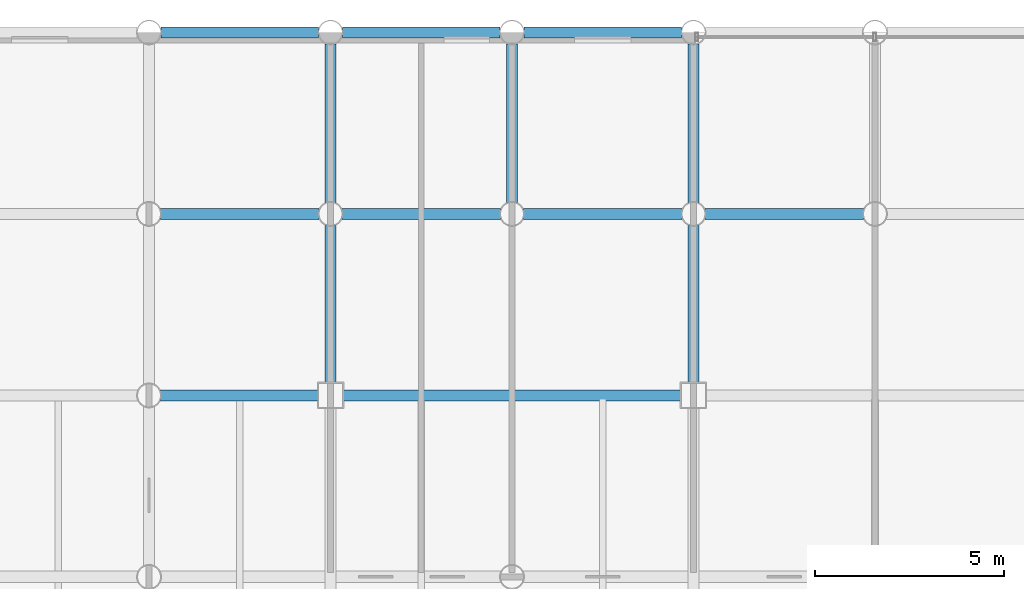
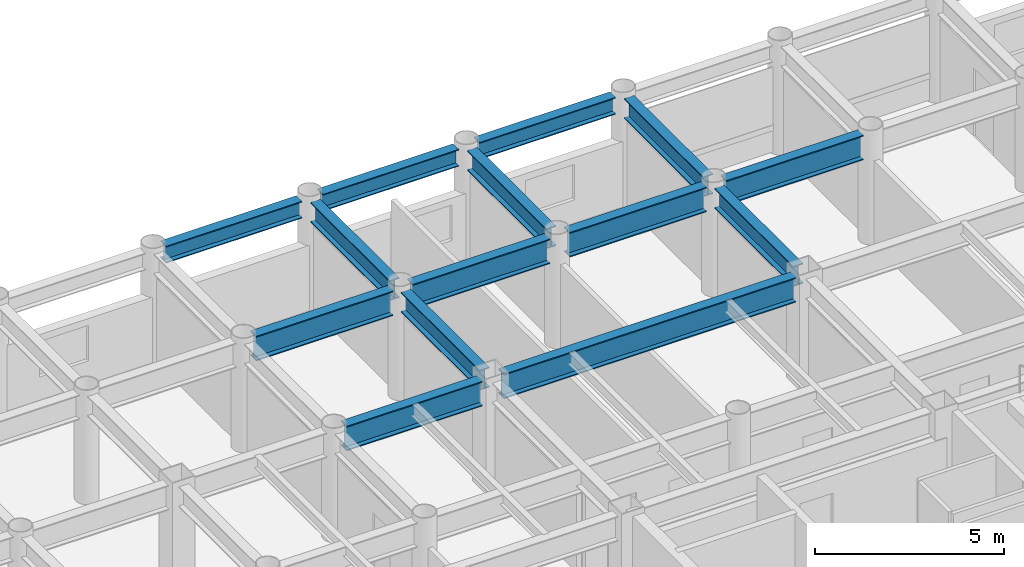
# One storey, part 11 of 20: 14 beams.
"""IFC4 building model written with IfcOpenShell, lengths in metres."""

import ifcopenshell
import ifcopenshell.guid

model = None  # the IFC model being written
_history = None  # IfcOwnerHistory: only IFC2X3 demands one
_inside = {}  # id of a spatial element -> (the spatial element, [elements in it])
_under = {}  # id of a project, library or spatial element -> (it, [spatial elements below it])
_declared = {}  # id of a project -> (the project, [libraries it declares])
_typed = {}  # id of a type object -> (the type object, [elements of that type])
_made_of = {}  # id of a material, layer set ... -> (it, [elements and type objects made of it])


def new_model(schema):
    """Start an empty IFC model of exactly this schema.

    Asked for "IFC4X3", IfcOpenShell would pick the latest addendum, in which some entities
    have other attributes; the version numbers below select the first issue.
    IFC2X3 requires an IfcOwnerHistory on every rooted entity: one is made here for all.
    """
    global model, _history
    if schema == "IFC4X3":
        model = ifcopenshell.file(schema_version=(4, 3, 0, 0))
    else:
        model = ifcopenshell.file(schema=schema)
    _inside.clear()
    _under.clear()
    _declared.clear()
    _typed.clear()
    _made_of.clear()
    _history = None
    if model.schema == "IFC2X3":
        org = make("IfcOrganization", Name="unknown")
        user = make(
            "IfcPersonAndOrganization",
            ThePerson=make("IfcPerson", FamilyName="unknown"),
            TheOrganization=org,
        )
        app = make(
            "IfcApplication",
            ApplicationDeveloper=org,
            Version="unknown",
            ApplicationFullName="unknown",
            ApplicationIdentifier="unknown",
        )
        _history = make(
            "IfcOwnerHistory",
            OwningUser=user,
            OwningApplication=app,
            ChangeAction="ADDED",
            CreationDate=0,
        )
    return model


def make(cls, **values):
    """One entity of the class cls with the attributes given. An attribute that is None is left unset."""
    return model.create_entity(
        cls, **{name: value for name, value in values.items() if value is not None}
    )


def rooted(cls, **values):
    """An entity with a GlobalId (a new one), such as an element, a storey or a relation."""
    return make(cls, GlobalId=ifcopenshell.guid.new(), OwnerHistory=_history, **values)


def si_unit(unit_type, name, prefix=None):
    """IfcSIUnit, for example si_unit("LENGTHUNIT", "METRE", prefix="MILLI")."""
    return make("IfcSIUnit", UnitType=unit_type, Prefix=prefix, Name=name)


def assignment(units):
    """IfcUnitAssignment: the units of a project."""
    return None if units is None else make("IfcUnitAssignment", Units=units)


def point(xyz):
    """IfcCartesianPoint."""
    return None if xyz is None else make("IfcCartesianPoint", Coordinates=xyz)


def direction(xyz):
    """IfcDirection."""
    return None if xyz is None else make("IfcDirection", DirectionRatios=xyz)


def frame(location, z_axis=None, x_axis=None):
    """IfcAxis2Placement3D, a coordinate frame: its origin and axes. An axis left out is left unset."""
    return make(
        "IfcAxis2Placement3D",
        Location=point(location),
        Axis=direction(z_axis),
        RefDirection=direction(x_axis),
    )


def frame_2d(location, x_axis=None):
    """IfcAxis2Placement2D, a coordinate frame in the plane: its origin and x axis."""
    return make(
        "IfcAxis2Placement2D", Location=point(location), RefDirection=direction(x_axis)
    )


def origin():
    """The frame at (0, 0, 0) with its axes left unset."""
    return frame((0.0, 0.0, 0.0))


def origin_2d():
    """The frame at (0, 0) in the plane with its x axis left unset."""
    return frame_2d((0.0, 0.0))


def place(relative_to, where):
    """IfcLocalPlacement: puts the frame where relative to a parent placement (None: the world)."""
    return make(
        "IfcLocalPlacement", PlacementRelTo=relative_to, RelativePlacement=where
    )


def context(
    kind, dimensions, precision=None, world=None, true_north=None, identifier=None
):
    """IfcGeometricRepresentationContext, for example the 3D "Model" context."""
    return make(
        "IfcGeometricRepresentationContext",
        ContextIdentifier=identifier,
        ContextType=kind,
        CoordinateSpaceDimension=dimensions,
        Precision=precision,
        WorldCoordinateSystem=world,
        TrueNorth=true_north,
    )


def subcontext(parent, identifier, kind, view, scale=None):
    """IfcGeometricRepresentationSubContext, for example "Body" below "Model"."""
    return make(
        "IfcGeometricRepresentationSubContext",
        ContextIdentifier=identifier,
        ContextType=kind,
        ParentContext=parent,
        TargetScale=scale,
        TargetView=view,
    )


def project(units=None, contexts=None):
    """IfcProject with its units and contexts."""
    return rooted(
        "IfcProject",
        Name="project",
        RepresentationContexts=contexts,
        UnitsInContext=assignment(units),
    )


def spatial(cls, under=None, at=None, **own):
    """A site, building, storey or space (cls), placed at a placement, below another one or the project."""
    s = rooted(cls, ObjectPlacement=at, **own)
    if under is not None:
        _under.setdefault(under.id(), (under, []))[1].append(s)
    return s


def profile(cls, at=None, kind="AREA", **sizes):
    """A parametric profile (cls). Its sizes go by their IFC names, for example OverallWidth=200.0."""
    return make(cls, ProfileType=kind, Position=at, **sizes)


def i_section(**sizes):
    """IfcIShapeProfileDef."""
    return profile("IfcIShapeProfileDef", **sizes)


def extrude(swept, where, along, depth):
    """IfcExtrudedAreaSolid: the profile swept, set in the frame where, extruded along a direction by depth."""
    return make(
        "IfcExtrudedAreaSolid",
        SweptArea=swept,
        Position=where,
        ExtrudedDirection=direction(along),
        Depth=depth,
    )


def shape(context_of_items, identifier, shape_type, items):
    """IfcShapeRepresentation: the items that make up one representation, for example the "Body"."""
    return make(
        "IfcShapeRepresentation",
        ContextOfItems=context_of_items,
        RepresentationIdentifier=identifier,
        RepresentationType=shape_type,
        Items=items,
    )


def material(Name=None, Category=None):
    """IfcMaterial."""
    return make("IfcMaterial", Name=Name, Category=Category)


def material_profile(
    of_material, cross_section, Name=None, Category=None, Priority=None
):
    """IfcMaterialProfile: a cross section and its material."""
    return make(
        "IfcMaterialProfile",
        Name=Name,
        Material=of_material,
        Profile=cross_section,
        Priority=Priority,
        Category=Category,
    )


def profile_set(profiles, Name=None, composite=None):
    """IfcMaterialProfileSet."""
    return make(
        "IfcMaterialProfileSet",
        Name=Name,
        MaterialProfiles=profiles,
        CompositeProfile=composite,
    )


def made_of(thing, what):
    """Note that an element or type object is made of a material, layer set ...; save() writes the relation."""
    if what is not None:
        _made_of.setdefault(what.id(), (what, []))[1].append(thing)
    return thing


def type_object(cls, material=None, **own):
    """A type object (cls), such as IfcWallType, which elements share."""
    return made_of(rooted(cls, **own), material)


def element(
    cls,
    number,
    at=None,
    inside=None,
    cuts=None,
    type_object=None,
    material=None,
    context=None,
    identifier="Body",
    shape_type=None,
    held_by="IfcProductDefinitionShape",
    body=None,
    shapes=None,
    **own,
):
    """One element of the class cls, such as IfcWall. Its Tag is "e" and its number.

    at: its placement. inside: the storey or other place that contains it. cuts: it is an
    opening in that element (IfcRelVoidsElement). A single representation is given by context,
    identifier, shape_type and body (its items); several are given by shapes. held_by: the class
    of the entity that holds the representations. save() writes the other relations.
    """
    e = rooted(cls, Tag="e%d" % number, ObjectPlacement=at, **own)
    if body is not None:
        shapes = [shape(context, identifier, shape_type, body)]
    if shapes is not None:
        e.Representation = make(held_by, Representations=shapes)
    if inside is not None:
        _inside.setdefault(inside.id(), (inside, []))[1].append(e)
    if cuts is not None:
        rooted(
            "IfcRelVoidsElement", RelatingBuildingElement=cuts, RelatedOpeningElement=e
        )
    if type_object is not None:
        _typed.setdefault(type_object.id(), (type_object, []))[1].append(e)
    return made_of(e, material)


def aggregate(whole, parts):
    """IfcRelAggregates: a whole, such as a stair, and the parts it consists of."""
    return rooted("IfcRelAggregates", RelatingObject=whole, RelatedObjects=parts)


def save(model, path):
    """Write the relations noted so far, then the file.

    IfcRelAggregates (storeys below a building ...), IfcRelContainedInSpatialStructure (elements
    in a storey), IfcRelDefinesByType, IfcRelAssociatesMaterial and IfcRelDeclares: one each for
    every whole, place, type object, material and project.
    """
    for whole, parts in _under.values():
        aggregate(whole, parts)
    for where, things in _inside.values():
        rooted(
            "IfcRelContainedInSpatialStructure",
            RelatedElements=things,
            RelatingStructure=where,
        )
    for kind, things in _typed.values():
        rooted("IfcRelDefinesByType", RelatedObjects=things, RelatingType=kind)
    for what, things in _made_of.values():
        rooted("IfcRelAssociatesMaterial", RelatedObjects=things, RelatingMaterial=what)
    for by, libraries in _declared.values():
        rooted("IfcRelDeclares", RelatingContext=by, RelatedDefinitions=libraries)
    model.write(path)


model = new_model("IFC4")

# Units and contexts
model_context = context("Model", 3, precision=1e-05, world=origin(), true_north=direction((0.0, 1.0)))
body_context = subcontext(model_context, "Body", "Model", "MODEL_VIEW")
ifc_project = project(units=[si_unit("LENGTHUNIT", "METRE"), si_unit("AREAUNIT", "SQUARE_METRE"), si_unit("VOLUMEUNIT", "CUBIC_METRE"), si_unit("PLANEANGLEUNIT", "RADIAN"), si_unit("MASSUNIT", "GRAM", prefix="KILO")], contexts=[model_context])

# Site, building, storey
site_placement = place(None, origin())
site = spatial("IfcSite", under=ifc_project, at=site_placement, CompositionType="ELEMENT")
building_placement = place(site_placement, origin())
building = spatial("IfcBuilding", under=site, at=building_placement, Name="Kallvorn Hotel Tower", CompositionType="ELEMENT")
storey_placement = place(building_placement, frame((0.0, 0.0, 143.300048828125)))
storey = spatial("IfcBuildingStorey", under=building, at=storey_placement, Name="L35", CompositionType="ELEMENT", Elevation=143.300048828125)

# Beams
ifc_material_1 = material(Name="Structural steel S355JR", Category="steel")
ifc_material_profile_1 = material_profile(ifc_material_1, i_section(OverallWidth=0.300048828125, OverallDepth=0.550048828125, WebThickness=0.014892578125, FlangeThickness=0.029052734375, at=origin_2d()), Name="HE 550 B")
ifc_profile_set_1 = profile_set([ifc_material_profile_1], Name="Structural steel S355JR")
beam_type_1 = type_object("IfcBeamType", Name="BM_HE550B", PredefinedType="SPANDREL", material=ifc_profile_set_1)
beam_1_placement = place(storey_placement, frame((-18.8798828125, 24.0, 3.244873046875), z_axis=(1.0, 0.0, 0.0), x_axis=(0.0, 1.0, 0.0)))
element("IfcBeam", 1, at=beam_1_placement, inside=storey, type_object=beam_type_1, Name="L36 Perimeter Spandrel 165", PredefinedType="SPANDREL", context=body_context, shape_type="SweptSolid", body=[
    extrude(i_section(OverallWidth=0.300048828125, OverallDepth=0.550048828125, WebThickness=0.014892578125, FlangeThickness=0.029052734375, at=origin_2d()), origin(), (0.0, 0.0, 1.0), 4.159912109375),
])
beam_2_placement = place(storey_placement, frame((-14.080078125, 24.0, 3.244873046875), z_axis=(1.0, 0.0, 0.0), x_axis=(0.0, 1.0, 0.0)))
element("IfcBeam", 2, at=beam_2_placement, inside=storey, type_object=beam_type_1, Name="L36 Perimeter Spandrel 166", PredefinedType="SPANDREL", context=body_context, shape_type="SweptSolid", body=[
    extrude(i_section(OverallWidth=0.300048828125, OverallDepth=0.550048828125, WebThickness=0.014892578125, FlangeThickness=0.029052734375, at=origin_2d()), origin(), (0.0, 0.0, 1.0), 4.16015625),
])
beam_3_placement = place(storey_placement, frame((-9.280029296875, 24.0, 3.244873046875), z_axis=(1.0, 0.0, 0.0), x_axis=(0.0, 1.0, 0.0)))
element("IfcBeam", 3, at=beam_3_placement, inside=storey, type_object=beam_type_1, Name="L36 Perimeter Spandrel 167", PredefinedType="SPANDREL", context=body_context, shape_type="SweptSolid", body=[
    extrude(i_section(OverallWidth=0.300048828125, OverallDepth=0.550048828125, WebThickness=0.014892578125, FlangeThickness=0.029052734375, at=origin_2d()), origin(), (0.0, 0.0, 1.0), 4.159912109375),
])
ifc_material_2 = material(Name="Structural steel S355JR", Category="steel")
ifc_material_profile_2 = material_profile(ifc_material_2, i_section(OverallWidth=0.300048828125, OverallDepth=0.64990234375, WebThickness=0.01611328125, FlangeThickness=0.031005859375, at=origin_2d()), Name="HE 650 B")
ifc_profile_set_2 = profile_set([ifc_material_profile_2], Name="Structural steel S355JR")
beam_type_2 = type_object("IfcBeamType", Name="BM_HE650B", PredefinedType="BEAM", material=ifc_profile_set_2)
beam_4_placement = place(storey_placement, frame((-14.39990234375, 14.72509765625, 3.195068359375), z_axis=(0.0, 1.0, 0.0), x_axis=(-1.0, 0.0, 0.0)))
element("IfcBeam", 4, at=beam_4_placement, inside=storey, type_object=beam_type_2, Name="L36 Primary Y-Girder 101", PredefinedType="BEAM", context=body_context, shape_type="SweptSolid", body=[
    extrude(i_section(OverallWidth=0.300048828125, OverallDepth=0.64990234375, WebThickness=0.01611328125, FlangeThickness=0.031005859375, at=origin_2d()), origin(), (0.0, 0.0, 1.0), 4.169921875),
])
for number, where, z_axis, x_axis, name in (
    (5, (-14.39990234375, 19.5048828125, 3.195068359375), (0.0, 1.0, 0.0), (-1.0, 0.0, 0.0), "L36 Primary Y-Girder 102"),
    (6, (-9.60009765625, 19.5048828125, 3.195068359375), (0.0, 1.0, 0.0), (-1.0, 0.0, 0.0), "L36 Primary Y-Girder 105"),
):
    element("IfcBeam", number, at=place(storey_placement, frame(where, z_axis=z_axis, x_axis=x_axis)), inside=storey, type_object=beam_type_2, Name=name, PredefinedType="BEAM", context=body_context, shape_type="SweptSolid", body=[
        extrude(i_section(OverallWidth=0.300048828125, OverallDepth=0.64990234375, WebThickness=0.01611328125, FlangeThickness=0.031005859375, at=origin_2d()), origin(), (0.0, 0.0, 1.0), 4.190185546875),
    ])
beam_5_placement = place(storey_placement, frame((-4.800048828125, 14.72509765625, 3.195068359375), z_axis=(0.0, 1.0, 0.0), x_axis=(-1.0, 0.0, 0.0)))
element("IfcBeam", 7, at=beam_5_placement, inside=storey, type_object=beam_type_2, Name="L36 Primary Y-Girder 109", PredefinedType="BEAM", context=body_context, shape_type="SweptSolid", body=[
    extrude(i_section(OverallWidth=0.300048828125, OverallDepth=0.64990234375, WebThickness=0.01611328125, FlangeThickness=0.031005859375, at=origin_2d()), origin(), (0.0, 0.0, 1.0), 4.169921875),
])
beam_6_placement = place(storey_placement, frame((-4.800048828125, 19.5048828125, 3.195068359375), z_axis=(0.0, 1.0, 0.0), x_axis=(-1.0, 0.0, 0.0)))
element("IfcBeam", 8, at=beam_6_placement, inside=storey, type_object=beam_type_2, Name="L36 Primary Y-Girder 110", PredefinedType="BEAM", context=body_context, shape_type="SweptSolid", body=[
    extrude(i_section(OverallWidth=0.300048828125, OverallDepth=0.64990234375, WebThickness=0.01611328125, FlangeThickness=0.031005859375, at=origin_2d()), origin(), (0.0, 0.0, 1.0), 4.190185546875),
])
ifc_material_3 = material(Name="Structural steel S355JR", Category="steel")
ifc_material_profile_3 = material_profile(ifc_material_3, i_section(OverallWidth=0.300048828125, OverallDepth=0.800048828125, WebThickness=0.017578125, FlangeThickness=0.032958984375, at=origin_2d()), Name="HE 800 B")
ifc_profile_set_3 = profile_set([ifc_material_profile_3], Name="Structural steel S355JR")
beam_type_3 = type_object("IfcBeamType", Name="BM_HE800B", PredefinedType="BEAM", material=ifc_profile_set_3)
beam_7_placement = place(storey_placement, frame((-18.89501953125, 14.39990234375, 3.119873046875), z_axis=(1.0, 0.0, 0.0), x_axis=(0.0, 1.0, 0.0)))
element("IfcBeam", 9, at=beam_7_placement, inside=storey, type_object=beam_type_3, Name="L36 Primary X-Girder 53", PredefinedType="BEAM", context=body_context, shape_type="SweptSolid", body=[
    extrude(i_section(OverallWidth=0.300048828125, OverallDepth=0.800048828125, WebThickness=0.017578125, FlangeThickness=0.032958984375, at=origin_2d()), origin(), (0.0, 0.0, 1.0), 4.169921875),
])
beam_8_placement = place(storey_placement, frame((-14.074951171875, 14.39990234375, 3.119873046875), z_axis=(1.0, 0.0, 0.0), x_axis=(0.0, 1.0, 0.0)))
element("IfcBeam", 10, at=beam_8_placement, inside=storey, type_object=beam_type_3, Name="L36 Primary X-Girder 54", PredefinedType="BEAM", context=body_context, shape_type="SweptSolid", body=[
    extrude(i_section(OverallWidth=0.300048828125, OverallDepth=0.800048828125, WebThickness=0.017578125, FlangeThickness=0.032958984375, at=origin_2d()), origin(), (0.0, 0.0, 1.0), 8.949951171875),
])
for number, where, z_axis, x_axis, name in (
    (11, (-18.89501953125, 19.199951171875, 3.119873046875), (1.0, 0.0, 0.0), (0.0, 1.0, 0.0), "L36 Primary X-Girder 63"),
    (12, (-14.094970703125, 19.199951171875, 3.119873046875), (1.0, 0.0, 0.0), (0.0, 1.0, 0.0), "L36 Primary X-Girder 64"),
    (13, (-9.294921875, 19.199951171875, 3.119873046875), (1.0, 0.0, 0.0), (0.0, 1.0, 0.0), "L36 Primary X-Girder 65"),
):
    element("IfcBeam", number, at=place(storey_placement, frame(where, z_axis=z_axis, x_axis=x_axis)), inside=storey, type_object=beam_type_3, Name=name, PredefinedType="BEAM", context=body_context, shape_type="SweptSolid", body=[
        extrude(i_section(OverallWidth=0.300048828125, OverallDepth=0.800048828125, WebThickness=0.017578125, FlangeThickness=0.032958984375, at=origin_2d()), origin(), (0.0, 0.0, 1.0), 4.18994140625),
    ])
beam_9_placement = place(storey_placement, frame((-4.4951171875, 19.199951171875, 3.119873046875), z_axis=(1.0, 0.0, 0.0), x_axis=(0.0, 1.0, 0.0)))
element("IfcBeam", 14, at=beam_9_placement, inside=storey, type_object=beam_type_3, Name="L36 Primary X-Girder 66", PredefinedType="BEAM", context=body_context, shape_type="SweptSolid", body=[
    extrude(i_section(OverallWidth=0.300048828125, OverallDepth=0.800048828125, WebThickness=0.017578125, FlangeThickness=0.032958984375, at=origin_2d()), origin(), (0.0, 0.0, 1.0), 4.190185546875),
])

save(model, "model.ifc")
